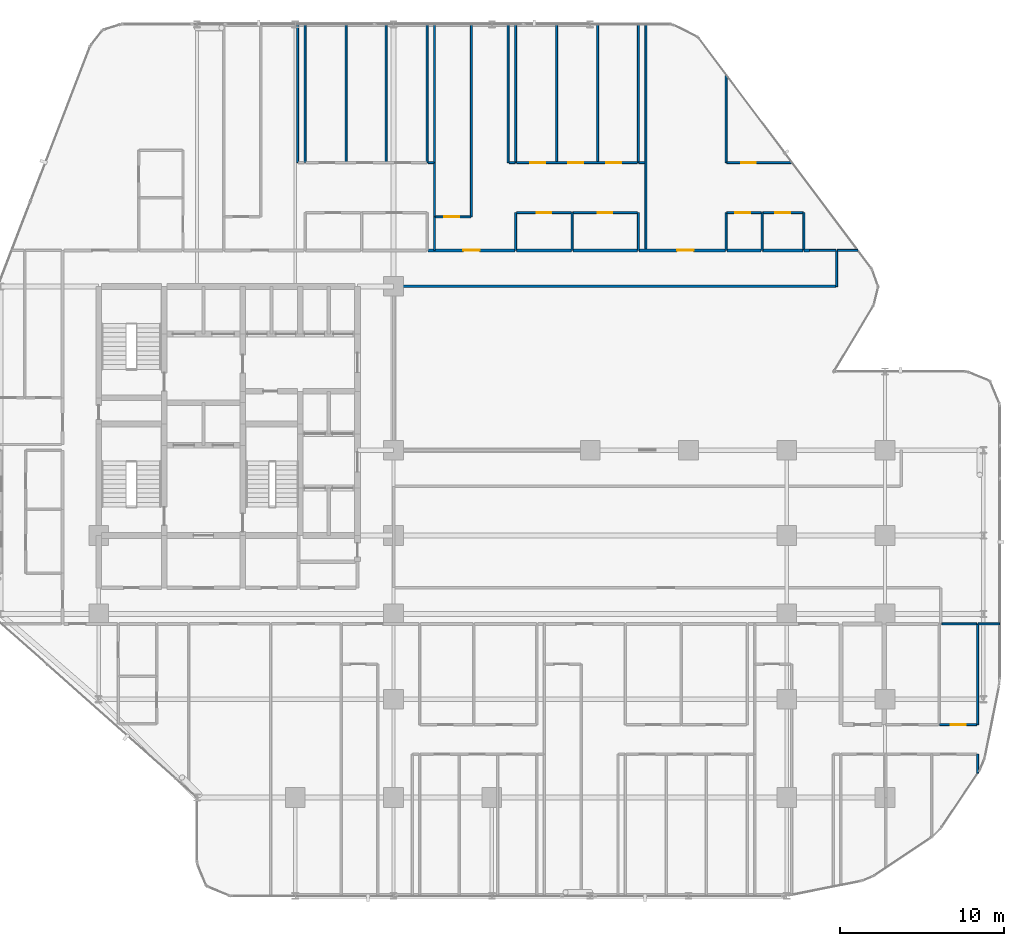
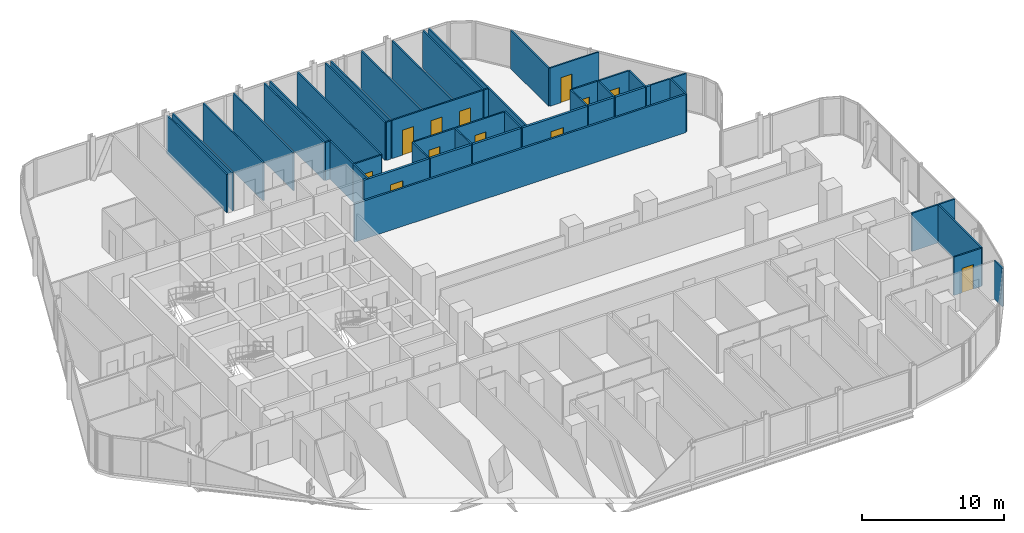
# One storey, part 31 of 34: 48 walls, 12 doors, 12 openings.
"""IFC4 building model written with IfcOpenShell, lengths in metres."""

from ifc_helpers import new_model, si_unit, direction, frame, frame_2d, origin, place, context, subcontext, project, spatial, rectangle, extrude, material, layer, layer_set, type_object, element, fill, save


model = new_model("IFC4")

# Units and contexts
model_context = context("Model", 3, precision=1e-05, world=origin(), true_north=direction((0.0, 1.0)))
body_context = subcontext(model_context, "Body", "Model", "MODEL_VIEW")
ifc_project = project(units=[si_unit("LENGTHUNIT", "METRE"), si_unit("AREAUNIT", "SQUARE_METRE"), si_unit("VOLUMEUNIT", "CUBIC_METRE"), si_unit("PLANEANGLEUNIT", "RADIAN"), si_unit("MASSUNIT", "GRAM", prefix="KILO")], contexts=[model_context])

# Site, building, storey
site_placement = place(None, origin())
site = spatial("IfcSite", under=ifc_project, at=site_placement, CompositionType="ELEMENT")
building_placement = place(site_placement, origin())
building = spatial("IfcBuilding", under=site, at=building_placement, Name="Keshet Zoharim Tower", CompositionType="ELEMENT")
storey_placement = place(building_placement, frame((0.0, 0.0, 77.5)))
storey = spatial("IfcBuildingStorey", under=building, at=storey_placement, Name="L18", CompositionType="ELEMENT", Elevation=77.5)

# Wall
ifc_material_1 = material(Name="Gypsum Plasterboard", Category="gypsum")
ifc_layer_1 = layer(ifc_material_1, 0.14990234375)
ifc_layer_set_1 = layer_set([ifc_layer_1], Name="Gypsum Plasterboard")
wall_type_1 = type_object("IfcWallType", Name="WL-CLIN-150", PredefinedType="STANDARD", material=ifc_layer_set_1)
wall_1_placement = place(storey_placement, frame((33.070068359375, 37.89990234375, 0.0), z_axis=(0.0, 0.0, 1.0), x_axis=(1.0, 0.0, 0.0)))
element("IfcWall", 1, at=wall_1_placement, inside=storey, type_object=wall_type_1, Name="L18 Interior Wall 198", PredefinedType="STANDARD", context=body_context, shape_type="SweptSolid", body=[
    extrude(rectangle(XDim=26.934814453125, YDim=0.14990234375, at=frame_2d((13.46728515625, 0.0))), origin(), (0.0, 0.0, 1.0), 3.280029296875),
])

# Wall, opening, door
ifc_layer_2 = layer(ifc_material_1, 0.179931640625)
ifc_layer_set_2 = layer_set([ifc_layer_2], Name="Gypsum Plasterboard")
wall_type_2 = type_object("IfcWallType", Name="WL-CORR-180", PredefinedType="STANDARD", material=ifc_layer_set_2)
wall_2_placement = place(storey_placement, frame((35.10498046875, 40.10009765625, 0.0), z_axis=(0.0, 0.0, 1.0), x_axis=(1.0, 0.0, 0.0)))
wall_2 = element("IfcWall", 2, at=wall_2_placement, inside=storey, type_object=wall_type_2, Name="L18 Interior Wall 207", PredefinedType="STANDARD", context=body_context, shape_type="SweptSolid", body=[
    extrude(rectangle(XDim=5.31005859375, YDim=0.179931640625, at=frame_2d((2.655029296875, 0.0))), origin(), (0.0, 0.0, 1.0), 3.280029296875),
])
opening_1_placement = place(wall_2_placement, frame((2.155029296875, 0.0, 0.0)))
opening_1 = element("IfcOpeningElement", 3, at=opening_1_placement, cuts=wall_2, Name="Opening D-F310", PredefinedType="OPENING", context=body_context, shape_type="SweptSolid", body=[
    extrude(rectangle(XDim=1.0, YDim=2.14990234375, at=frame_2d((0.5, 1.074951171875))), frame((0.0, 0.10009765625, 0.0), z_axis=(0.0, -1.0, 0.0), x_axis=(1.0, 0.0, 0.0)), (0.0, 0.0, 1.0), 0.199951171875),
])
ifc_material_2 = material(Name="Hardwood Timber", Category="wood")
door_type_1 = type_object("IfcDoorType", Name="DR-FD30-100", OperationType="NOTDEFINED", PredefinedType="DOOR", material=ifc_material_2)
door_1_placement = place(opening_1_placement, origin())
door_1 = element("IfcDoor", 4, at=door_1_placement, inside=storey, type_object=door_type_1, Name="Apartment 1807 Entrance Door", OperationType="SINGLE_SWING_LEFT", OverallHeight=2.14990234375, OverallWidth=1.0, PredefinedType="DOOR", context=body_context, shape_type="SweptSolid", body=[
    extrude(rectangle(XDim=1.0, YDim=2.14990234375, at=frame_2d((0.5, 1.074951171875))), frame((0.0, 0.02490234375, 0.0), z_axis=(0.0, -1.0, 0.0), x_axis=(1.0, 0.0, 0.0)), (0.0, 0.0, 1.0), 0.050048828125),
])
fill(opening_1, door_1)

# Walls
wall_3_placement = place(storey_placement, frame((40.5048828125, 40.10009765625, 0.0), z_axis=(0.0, 0.0, 1.0), x_axis=(1.0, 0.0, 0.0)))
element("IfcWall", 5, at=wall_3_placement, inside=storey, type_object=wall_type_2, Name="L18 Interior Wall 208", PredefinedType="STANDARD", context=body_context, shape_type="SweptSolid", body=[
    extrude(rectangle(XDim=3.34619140625, YDim=0.179931640625, at=frame_2d((1.673095703125, 0.0))), origin(), (0.0, 0.0, 1.0), 3.280029296875),
])
wall_4_placement = place(storey_placement, frame((43.94091796875, 40.10009765625, 0.0), z_axis=(0.0, 0.0, 1.0), x_axis=(1.0, 0.0, 0.0)))
element("IfcWall", 6, at=wall_4_placement, inside=storey, type_object=wall_type_2, Name="L18 Interior Wall 209", PredefinedType="STANDARD", context=body_context, shape_type="SweptSolid", body=[
    extrude(rectangle(XDim=3.944091796875, YDim=0.179931640625, at=frame_2d((1.97216796875, 0.0))), origin(), (0.0, 0.0, 1.0), 3.280029296875),
])

# Wall, opening, door
wall_5_placement = place(storey_placement, frame((47.97509765625, 40.10009765625, 0.0), z_axis=(0.0, 0.0, 1.0), x_axis=(1.0, 0.0, 0.0)))
wall_5 = element("IfcWall", 7, at=wall_5_placement, inside=storey, type_object=wall_type_2, Name="L18 Interior Wall 210", PredefinedType="STANDARD", context=body_context, shape_type="SweptSolid", body=[
    extrude(rectangle(XDim=5.27978515625, YDim=0.179931640625, at=frame_2d((2.639892578125, 0.0))), origin(), (0.0, 0.0, 1.0), 3.280029296875),
])
opening_2_placement = place(wall_5_placement, frame((2.340087890625, 0.0, 0.0)))
opening_2 = element("IfcOpeningElement", 8, at=opening_2_placement, cuts=wall_5, Name="Opening D-F310", PredefinedType="OPENING", context=body_context, shape_type="SweptSolid", body=[
    extrude(rectangle(XDim=1.0, YDim=2.14990234375, at=frame_2d((0.5, 1.074951171875))), frame((0.0, 0.10009765625, 0.0), z_axis=(0.0, -1.0, 0.0), x_axis=(1.0, 0.0, 0.0)), (0.0, 0.0, 1.0), 0.199951171875),
])
door_2_placement = place(opening_2_placement, origin())
door_2 = element("IfcDoor", 9, at=door_2_placement, inside=storey, type_object=door_type_1, Name="Apartment 1808 Entrance Door", OperationType="SINGLE_SWING_RIGHT", OverallHeight=2.14990234375, OverallWidth=1.0, PredefinedType="DOOR", context=body_context, shape_type="SweptSolid", body=[
    extrude(rectangle(XDim=1.0, YDim=2.14990234375, at=frame_2d((0.5, 1.074951171875))), frame((0.0, 0.02490234375, 0.0), z_axis=(0.0, -1.0, 0.0), x_axis=(1.0, 0.0, 0.0)), (0.0, 0.0, 1.0), 0.050048828125),
])
fill(opening_2, door_2)

# Walls
wall_6_placement = place(storey_placement, frame((53.344970703125, 40.10009765625, 0.0), z_axis=(0.0, 0.0, 1.0), x_axis=(1.0, 0.0, 0.0)))
element("IfcWall", 10, at=wall_6_placement, inside=storey, type_object=wall_type_2, Name="L18 Interior Wall 211", PredefinedType="STANDARD", context=body_context, shape_type="SweptSolid", body=[
    extrude(rectangle(XDim=2.089111328125, YDim=0.179931640625, at=frame_2d((1.04443359375, 0.0))), origin(), (0.0, 0.0, 1.0), 3.280029296875),
])
wall_7_placement = place(storey_placement, frame((55.52392578125, 40.10009765625, 0.0), z_axis=(0.0, 0.0, 1.0), x_axis=(1.0, 0.0, 0.0)))
element("IfcWall", 11, at=wall_7_placement, inside=storey, type_object=wall_type_2, Name="L18 Interior Wall 212", PredefinedType="STANDARD", context=body_context, shape_type="SweptSolid", body=[
    extrude(rectangle(XDim=2.468994140625, YDim=0.179931640625, at=frame_2d((1.234375, 0.0))), origin(), (0.0, 0.0, 1.0), 3.280029296875),
])
wall_8_placement = place(storey_placement, frame((58.050048828125, 40.10009765625, 0.0), z_axis=(0.0, 0.0, 1.0), x_axis=(1.0, 0.0, 0.0)))
element("IfcWall", 12, at=wall_8_placement, inside=storey, type_object=wall_type_2, Name="L18 Interior Wall 213", PredefinedType="STANDARD", context=body_context, shape_type="SweptSolid", body=[
    extrude(rectangle(XDim=0.349853515625, YDim=0.179931640625, at=frame_2d((0.1748046875, 0.0))), origin(), (0.0, 0.0, 1.0), 3.280029296875),
])
ifc_layer_3 = layer(ifc_material_1, 0.1201171875)
ifc_layer_set_3 = layer_set([ifc_layer_3], Name="Gypsum Plasterboard")
wall_type_3 = type_object("IfcWallType", Name="WL-PART-120", PredefinedType="PARTITIONING", material=ifc_layer_set_3)
for number, where, z_axis, x_axis, name in (
    (13, (27.14990234375, 45.449951171875, 0.0), (0.0, 0.0, 1.0), (0.0, 1.0, 0.0), "L18 Interior Wall 043"),
    (14, (27.60009765625, 45.449951171875, 0.0), (0.0, 0.0, 1.0), (0.0, 1.0, 0.0), "L18 Interior Wall 052"),
    (15, (30.10009765625, 45.449951171875, 0.0), (0.0, 0.0, 1.0), (0.0, 1.0, 0.0), "L18 Interior Wall 058"),
    (16, (32.550048828125, 45.449951171875, 0.0), (0.0, 0.0, 1.0), (0.0, 1.0, 0.0), "L18 Interior Wall 068"),
    (17, (35.050048828125, 45.449951171875, 0.0), (0.0, 0.0, 1.0), (0.0, 1.0, 0.0), "L18 Interior Wall 075"),
):
    element("IfcWall", number, at=place(storey_placement, frame(where, z_axis=z_axis, x_axis=x_axis)), inside=storey, type_object=wall_type_3, Name=name, PredefinedType="PARTITIONING", context=body_context, shape_type="SweptSolid", body=[
        extrude(rectangle(XDim=8.43994140625, YDim=0.1201171875, at=frame_2d((4.219970703125, 0.0))), origin(), (0.0, 0.0, 1.0), 3.280029296875),
    ])
wall_9_placement = place(storey_placement, frame((35.5, 40.10009765625, 0.0), z_axis=(0.0, 0.0, 1.0), x_axis=(0.0, 1.0, 0.0)))
element("IfcWall", 18, at=wall_9_placement, inside=storey, type_object=wall_type_3, Name="L18 Interior Wall 076", PredefinedType="PARTITIONING", context=body_context, shape_type="SweptSolid", body=[
    extrude(rectangle(XDim=2.0498046875, YDim=0.1201171875, at=frame_2d((1.02490234375, 0.0))), origin(), (0.0, 0.0, 1.0), 3.280029296875),
])
wall_10_placement = place(storey_placement, frame((35.5, 42.14990234375, 0.0), z_axis=(0.0, 0.0, 1.0), x_axis=(0.0, 1.0, 0.0)))
element("IfcWall", 19, at=wall_10_placement, inside=storey, type_object=wall_type_3, Name="L18 Interior Wall 077", PredefinedType="PARTITIONING", context=body_context, shape_type="SweptSolid", body=[
    extrude(rectangle(XDim=3.300048828125, YDim=0.1201171875, at=frame_2d((1.64990234375, 0.0))), origin(), (0.0, 0.0, 1.0), 3.280029296875),
])
wall_11_placement = place(storey_placement, frame((35.5, 45.449951171875, 0.0), z_axis=(0.0, 0.0, 1.0), x_axis=(0.0, 1.0, 0.0)))
element("IfcWall", 20, at=wall_11_placement, inside=storey, type_object=wall_type_3, Name="L18 Interior Wall 078", PredefinedType="PARTITIONING", context=body_context, shape_type="SweptSolid", body=[
    extrude(rectangle(XDim=8.43994140625, YDim=0.1201171875, at=frame_2d((4.219970703125, 0.0))), origin(), (0.0, 0.0, 1.0), 3.280029296875),
])
wall_12_placement = place(storey_placement, frame((37.75, 42.14990234375, 0.0), z_axis=(0.0, 0.0, 1.0), x_axis=(0.0, 1.0, 0.0)))
element("IfcWall", 21, at=wall_12_placement, inside=storey, type_object=wall_type_3, Name="L18 Interior Wall 080", PredefinedType="PARTITIONING", context=body_context, shape_type="SweptSolid", body=[
    extrude(rectangle(XDim=11.739990234375, YDim=0.1201171875, at=frame_2d((5.8701171875, 0.0))), origin(), (0.0, 0.0, 1.0), 3.280029296875),
])
wall_13_placement = place(storey_placement, frame((40.0, 45.449951171875, 0.0), z_axis=(0.0, 0.0, 1.0), x_axis=(0.0, 1.0, 0.0)))
element("IfcWall", 22, at=wall_13_placement, inside=storey, type_object=wall_type_3, Name="L18 Interior Wall 083", PredefinedType="PARTITIONING", context=body_context, shape_type="SweptSolid", body=[
    extrude(rectangle(XDim=8.43994140625, YDim=0.1201171875, at=frame_2d((4.219970703125, 0.0))), origin(), (0.0, 0.0, 1.0), 3.280029296875),
])
wall_14_placement = place(storey_placement, frame((40.449951171875, 40.10009765625, 0.0), z_axis=(0.0, 0.0, 1.0), x_axis=(0.0, 1.0, 0.0)))
element("IfcWall", 23, at=wall_14_placement, inside=storey, type_object=wall_type_3, Name="L18 Interior Wall 084", PredefinedType="PARTITIONING", context=body_context, shape_type="SweptSolid", body=[
    extrude(rectangle(XDim=2.2998046875, YDim=0.1201171875, at=frame_2d((1.14990234375, 0.0))), origin(), (0.0, 0.0, 1.0), 3.280029296875),
])
for number, where, z_axis, x_axis, name in (
    (24, (40.449951171875, 45.449951171875, 0.0), (0.0, 0.0, 1.0), (0.0, 1.0, 0.0), "L18 Interior Wall 085"),
    (25, (42.949951171875, 45.449951171875, 0.0), (0.0, 0.0, 1.0), (0.0, 1.0, 0.0), "L18 Interior Wall 091"),
    (26, (45.449951171875, 45.449951171875, 0.0), (0.0, 0.0, 1.0), (0.0, 1.0, 0.0), "L18 Interior Wall 094"),
    (27, (47.949951171875, 45.449951171875, 0.0), (0.0, 0.0, 1.0), (0.0, 1.0, 0.0), "L18 Interior Wall 099"),
):
    element("IfcWall", number, at=place(storey_placement, frame(where, z_axis=z_axis, x_axis=x_axis)), inside=storey, type_object=wall_type_3, Name=name, PredefinedType="PARTITIONING", context=body_context, shape_type="SweptSolid", body=[
        extrude(rectangle(XDim=8.43994140625, YDim=0.1201171875, at=frame_2d((4.219970703125, 0.0))), origin(), (0.0, 0.0, 1.0), 3.280029296875),
    ])
wall_15_placement = place(storey_placement, frame((48.39990234375, 40.10009765625, 0.0), z_axis=(0.0, 0.0, 1.0), x_axis=(0.0, 1.0, 0.0)))
element("IfcWall", 28, at=wall_15_placement, inside=storey, type_object=wall_type_3, Name="L18 Interior Wall 100", PredefinedType="PARTITIONING", context=body_context, shape_type="SweptSolid", body=[
    extrude(rectangle(XDim=13.789794921875, YDim=0.1201171875, at=frame_2d((6.89501953125, 0.0))), origin(), (0.0, 0.0, 1.0), 3.280029296875),
])
wall_16_placement = place(storey_placement, frame((53.300048828125, 40.10009765625, 0.0), z_axis=(0.0, 0.0, 1.0), x_axis=(0.0, 1.0, 0.0)))
element("IfcWall", 29, at=wall_16_placement, inside=storey, type_object=wall_type_3, Name="L18 Interior Wall 104", PredefinedType="PARTITIONING", context=body_context, shape_type="SweptSolid", body=[
    extrude(rectangle(XDim=2.2998046875, YDim=0.1201171875, at=frame_2d((1.14990234375, 0.0))), origin(), (0.0, 0.0, 1.0), 3.280029296875),
])
wall_17_placement = place(storey_placement, frame((53.300048828125, 45.449951171875, 0.0), z_axis=(0.0, 0.0, 1.0), x_axis=(0.0, 1.0, 0.0)))
element("IfcWall", 30, at=wall_17_placement, inside=storey, type_object=wall_type_3, Name="L18 Interior Wall 105", PredefinedType="PARTITIONING", context=body_context, shape_type="SweptSolid", body=[
    extrude(rectangle(XDim=5.373046875, YDim=0.1201171875, at=frame_2d((2.6865234375, 0.0))), origin(), (0.0, 0.0, 1.0), 3.280029296875),
])
wall_18_placement = place(storey_placement, frame((60.050048828125, 37.889892578125, 0.0), z_axis=(0.0, 0.0, 1.0), x_axis=(0.0, 1.0, 0.0)))
element("IfcWall", 31, at=wall_18_placement, inside=storey, type_object=wall_type_3, Name="L18 Interior Wall 115", PredefinedType="PARTITIONING", context=body_context, shape_type="SweptSolid", body=[
    extrude(rectangle(XDim=2.2001953125, YDim=0.1201171875, at=frame_2d((1.10009765625, 0.0))), origin(), (0.0, 0.0, 1.0), 3.280029296875),
])
wall_19_placement = place(storey_placement, frame((68.64990234375, 8.196044921875, 0.0), z_axis=(0.0, 0.0, 1.0), x_axis=(0.0, 1.0, 0.0)))
element("IfcWall", 32, at=wall_19_placement, inside=storey, type_object=wall_type_3, Name="L18 Interior Wall 124", PredefinedType="PARTITIONING", context=body_context, shape_type="SweptSolid", body=[
    extrude(rectangle(XDim=1.154052734375, YDim=0.1201171875, at=frame_2d((0.5771484375, 0.0))), origin(), (0.0, 0.0, 1.0), 3.280029296875),
])
wall_20_placement = place(storey_placement, frame((68.676025390625, 17.300048828125, 0.0), z_axis=(0.0, 0.0, 1.0), x_axis=(1.0, 0.0, 0.0)))
element("IfcWall", 33, at=wall_20_placement, inside=storey, type_object=wall_type_3, Name="L18 Interior Wall 162", PredefinedType="PARTITIONING", context=body_context, shape_type="SweptSolid", body=[
    extrude(rectangle(XDim=1.31396484375, YDim=0.1201171875, at=frame_2d((0.656982421875, 0.0))), origin(), (0.0, 0.0, 1.0), 3.280029296875),
])
wall_21_placement = place(storey_placement, frame((58.39990234375, 40.10009765625, 0.0), z_axis=(0.0, 0.0, 1.0), x_axis=(1.0, 0.0, 0.0)))
element("IfcWall", 34, at=wall_21_placement, inside=storey, type_object=wall_type_3, Name="L18 Interior Wall 214", PredefinedType="PARTITIONING", context=body_context, shape_type="SweptSolid", body=[
    extrude(rectangle(XDim=1.60498046875, YDim=0.1201171875, at=frame_2d((0.802490234375, 0.0))), origin(), (0.0, 0.0, 1.0), 3.280029296875),
])
wall_22_placement = place(storey_placement, frame((60.094970703125, 40.10009765625, 0.0), z_axis=(0.0, 0.0, 1.0), x_axis=(1.0, 0.0, 0.0)))
element("IfcWall", 35, at=wall_22_placement, inside=storey, type_object=wall_type_3, Name="L18 Interior Wall 215", PredefinedType="PARTITIONING", context=body_context, shape_type="SweptSolid", body=[
    extrude(rectangle(XDim=1.2451171875, YDim=0.1201171875, at=frame_2d((0.62255859375, 0.0))), origin(), (0.0, 0.0, 1.0), 3.280029296875),
])

# Wall, opening, door
wall_23_placement = place(storey_placement, frame((35.554931640625, 42.14990234375, 0.0), z_axis=(0.0, 0.0, 1.0), x_axis=(1.0, 0.0, 0.0)))
wall_23 = element("IfcWall", 36, at=wall_23_placement, inside=storey, type_object=wall_type_3, Name="L18 Interior Wall 217", PredefinedType="PARTITIONING", context=body_context, shape_type="SweptSolid", body=[
    extrude(rectangle(XDim=2.16015625, YDim=0.1201171875, at=frame_2d((1.080078125, 0.0))), origin(), (0.0, 0.0, 1.0), 3.280029296875),
])
opening_3_placement = place(wall_23_placement, frame((0.552978515625, 0.0, 0.0)))
opening_3 = element("IfcOpeningElement", 37, at=opening_3_placement, cuts=wall_23, Name="Opening D-IN90", PredefinedType="OPENING", context=body_context, shape_type="SweptSolid", body=[
    extrude(rectangle(XDim=0.89990234375, YDim=2.14990234375, at=frame_2d((0.449951171875, 1.074951171875))), frame((0.0, 0.070068359375, 0.0), z_axis=(0.0, -1.0, 0.0), x_axis=(1.0, 0.0, 0.0)), (0.0, 0.0, 1.0), 0.14013671875),
])
door_type_2 = type_object("IfcDoorType", Name="DR-INT-090", OperationType="NOTDEFINED", PredefinedType="DOOR", material=ifc_material_2)
door_3_placement = place(opening_3_placement, origin())
door_3 = element("IfcDoor", 38, at=door_3_placement, inside=storey, type_object=door_type_2, Name="Apartment 1807 Formal Dining Room Door", OperationType="SINGLE_SWING_RIGHT", OverallHeight=2.14990234375, OverallWidth=0.89990234375, PredefinedType="DOOR", context=body_context, shape_type="SweptSolid", body=[
    extrude(rectangle(XDim=0.89990234375, YDim=2.14990234375, at=frame_2d((0.449951171875, 1.074951171875))), frame((0.0, 0.02490234375, 0.0), z_axis=(0.0, -1.0, 0.0), x_axis=(1.0, 0.0, 0.0)), (0.0, 0.0, 1.0), 0.050048828125),
])
fill(opening_3, door_3)

wall_24_placement = place(storey_placement, frame((40.5048828125, 42.39990234375, 0.0), z_axis=(0.0, 0.0, 1.0), x_axis=(1.0, 0.0, 0.0)))
wall_24 = element("IfcWall", 39, at=wall_24_placement, inside=storey, type_object=wall_type_3, Name="L18 Interior Wall 220", PredefinedType="PARTITIONING", context=body_context, shape_type="SweptSolid", body=[
    extrude(rectangle(XDim=3.34619140625, YDim=0.1201171875, at=frame_2d((1.673095703125, 0.0))), origin(), (0.0, 0.0, 1.0), 3.280029296875),
])
opening_4_placement = place(wall_24_placement, frame((1.222900390625, 0.0, 0.0)))
opening_4 = element("IfcOpeningElement", 40, at=opening_4_placement, cuts=wall_24, Name="Opening D-IN90", PredefinedType="OPENING", context=body_context, shape_type="SweptSolid", body=[
    extrude(rectangle(XDim=0.89990234375, YDim=2.14990234375, at=frame_2d((0.449951171875, 1.074951171875))), frame((0.0, 0.070068359375, 0.0), z_axis=(0.0, -1.0, 0.0), x_axis=(1.0, 0.0, 0.0)), (0.0, 0.0, 1.0), 0.14013671875),
])
door_4_placement = place(opening_4_placement, origin())
door_4 = element("IfcDoor", 41, at=door_4_placement, inside=storey, type_object=door_type_2, Name="Apartment 1807 Kitchen Door", OperationType="SINGLE_SWING_LEFT", OverallHeight=2.14990234375, OverallWidth=0.89990234375, PredefinedType="DOOR", context=body_context, shape_type="SweptSolid", body=[
    extrude(rectangle(XDim=0.89990234375, YDim=2.14990234375, at=frame_2d((0.449951171875, 1.074951171875))), frame((0.0, 0.02490234375, 0.0), z_axis=(0.0, -1.0, 0.0), x_axis=(1.0, 0.0, 0.0)), (0.0, 0.0, 1.0), 0.050048828125),
])
fill(opening_4, door_4)

wall_25_placement = place(storey_placement, frame((53.344970703125, 42.39990234375, 0.0), z_axis=(0.0, 0.0, 1.0), x_axis=(1.0, 0.0, 0.0)))
wall_25 = element("IfcWall", 42, at=wall_25_placement, inside=storey, type_object=wall_type_3, Name="L18 Interior Wall 222", PredefinedType="PARTITIONING", context=body_context, shape_type="SweptSolid", body=[
    extrude(rectangle(XDim=2.089111328125, YDim=0.1201171875, at=frame_2d((1.04443359375, 0.0))), origin(), (0.0, 0.0, 1.0), 3.280029296875),
])
opening_5_placement = place(wall_25_placement, frame((0.51904296875, 0.0, 0.0)))
opening_5 = element("IfcOpeningElement", 43, at=opening_5_placement, cuts=wall_25, Name="Opening D-IN90", PredefinedType="OPENING", context=body_context, shape_type="SweptSolid", body=[
    extrude(rectangle(XDim=0.89990234375, YDim=2.14990234375, at=frame_2d((0.449951171875, 1.074951171875))), frame((0.0, 0.070068359375, 0.0), z_axis=(0.0, -1.0, 0.0), x_axis=(1.0, 0.0, 0.0)), (0.0, 0.0, 1.0), 0.14013671875),
])
door_5_placement = place(opening_5_placement, origin())
door_5 = element("IfcDoor", 44, at=door_5_placement, inside=storey, type_object=door_type_2, Name="Apartment 1808 Kitchen Door", OperationType="SINGLE_SWING_LEFT", OverallHeight=2.14990234375, OverallWidth=0.89990234375, PredefinedType="DOOR", context=body_context, shape_type="SweptSolid", body=[
    extrude(rectangle(XDim=0.89990234375, YDim=2.14990234375, at=frame_2d((0.449951171875, 1.074951171875))), frame((0.0, 0.02490234375, 0.0), z_axis=(0.0, -1.0, 0.0), x_axis=(1.0, 0.0, 0.0)), (0.0, 0.0, 1.0), 0.050048828125),
])
fill(opening_5, door_5)

# Walls
for number, where, z_axis, x_axis, name in (
    (45, (35.10498046875, 45.449951171875, 0.0), (0.0, 0.0, 1.0), (1.0, 0.0, 0.0), "L18 Interior Wall 227"),
    (46, (40.054931640625, 45.449951171875, 0.0), (0.0, 0.0, 1.0), (1.0, 0.0, 0.0), "L18 Interior Wall 228"),
):
    element("IfcWall", number, at=place(storey_placement, frame(where, z_axis=z_axis, x_axis=x_axis)), inside=storey, type_object=wall_type_3, Name=name, PredefinedType="PARTITIONING", context=body_context, shape_type="SweptSolid", body=[
        extrude(rectangle(XDim=0.360107421875, YDim=0.1201171875, at=frame_2d((0.18017578125, 0.0))), origin(), (0.0, 0.0, 1.0), 3.280029296875),
    ])

# Wall, openings, doors
wall_26_placement = place(storey_placement, frame((40.5048828125, 45.449951171875, 0.0), z_axis=(0.0, 0.0, 1.0), x_axis=(1.0, 0.0, 0.0)))
wall_26 = element("IfcWall", 47, at=wall_26_placement, inside=storey, type_object=wall_type_3, Name="L18 Interior Wall 229", PredefinedType="PARTITIONING", context=body_context, shape_type="SweptSolid", body=[
    extrude(rectangle(XDim=7.380126953125, YDim=0.1201171875, at=frame_2d((3.68994140625, 0.0))), origin(), (0.0, 0.0, 1.0), 3.280029296875),
])
opening_6_placement = place(wall_26_placement, frame((0.85205078125, 0.0, 0.0)))
opening_6 = element("IfcOpeningElement", 48, at=opening_6_placement, cuts=wall_26, Name="Opening D-IN90", PredefinedType="OPENING", context=body_context, shape_type="SweptSolid", body=[
    extrude(rectangle(XDim=0.89990234375, YDim=2.14990234375, at=frame_2d((0.449951171875, 1.074951171875))), frame((0.0, 0.070068359375, 0.0), z_axis=(0.0, -1.0, 0.0), x_axis=(1.0, 0.0, 0.0)), (0.0, 0.0, 1.0), 0.14013671875),
])
opening_7_placement = place(wall_26_placement, frame((3.1640625, 0.0, 0.0)))
opening_7 = element("IfcOpeningElement", 49, at=opening_7_placement, cuts=wall_26, Name="Opening D-IN90", PredefinedType="OPENING", context=body_context, shape_type="SweptSolid", body=[
    extrude(rectangle(XDim=0.89990234375, YDim=2.14990234375, at=frame_2d((0.449951171875, 1.074951171875))), frame((0.0, 0.070068359375, 0.0), z_axis=(0.0, -1.0, 0.0), x_axis=(1.0, 0.0, 0.0)), (0.0, 0.0, 1.0), 0.14013671875),
])
opening_8_placement = place(wall_26_placement, frame((5.48193359375, 0.0, 0.0)))
opening_8 = element("IfcOpeningElement", 50, at=opening_8_placement, cuts=wall_26, Name="Opening D-IN90", PredefinedType="OPENING", context=body_context, shape_type="SweptSolid", body=[
    extrude(rectangle(XDim=0.89990234375, YDim=2.14990234375, at=frame_2d((0.449951171875, 1.074951171875))), frame((0.0, 0.070068359375, 0.0), z_axis=(0.0, -1.0, 0.0), x_axis=(1.0, 0.0, 0.0)), (0.0, 0.0, 1.0), 0.14013671875),
])
door_6_placement = place(opening_6_placement, origin())
door_6 = element("IfcDoor", 51, at=door_6_placement, inside=storey, type_object=door_type_2, Name="Apartment 1807 Bedroom 1 Door", OperationType="SINGLE_SWING_RIGHT", OverallHeight=2.14990234375, OverallWidth=0.89990234375, PredefinedType="DOOR", context=body_context, shape_type="SweptSolid", body=[
    extrude(rectangle(XDim=0.89990234375, YDim=2.14990234375, at=frame_2d((0.449951171875, 1.074951171875))), frame((0.0, 0.02490234375, 0.0), z_axis=(0.0, -1.0, 0.0), x_axis=(1.0, 0.0, 0.0)), (0.0, 0.0, 1.0), 0.050048828125),
])
fill(opening_6, door_6)
door_7_placement = place(opening_7_placement, origin())
door_7 = element("IfcDoor", 52, at=door_7_placement, inside=storey, type_object=door_type_2, Name="Apartment 1807 Bedroom 2 Door", OperationType="SINGLE_SWING_LEFT", OverallHeight=2.14990234375, OverallWidth=0.89990234375, PredefinedType="DOOR", context=body_context, shape_type="SweptSolid", body=[
    extrude(rectangle(XDim=0.89990234375, YDim=2.14990234375, at=frame_2d((0.449951171875, 1.074951171875))), frame((0.0, 0.02490234375, 0.0), z_axis=(0.0, -1.0, 0.0), x_axis=(1.0, 0.0, 0.0)), (0.0, 0.0, 1.0), 0.050048828125),
])
fill(opening_7, door_7)
door_8_placement = place(opening_8_placement, origin())
door_8 = element("IfcDoor", 53, at=door_8_placement, inside=storey, type_object=door_type_2, Name="Apartment 1807 Bedroom 3 Door", OperationType="SINGLE_SWING_RIGHT", OverallHeight=2.14990234375, OverallWidth=0.89990234375, PredefinedType="DOOR", context=body_context, shape_type="SweptSolid", body=[
    extrude(rectangle(XDim=0.89990234375, YDim=2.14990234375, at=frame_2d((0.449951171875, 1.074951171875))), frame((0.0, 0.02490234375, 0.0), z_axis=(0.0, -1.0, 0.0), x_axis=(1.0, 0.0, 0.0)), (0.0, 0.0, 1.0), 0.050048828125),
])
fill(opening_8, door_8)

# Wall
wall_27_placement = place(storey_placement, frame((47.97509765625, 45.449951171875, 0.0), z_axis=(0.0, 0.0, 1.0), x_axis=(1.0, 0.0, 0.0)))
element("IfcWall", 54, at=wall_27_placement, inside=storey, type_object=wall_type_3, Name="L18 Interior Wall 230", PredefinedType="PARTITIONING", context=body_context, shape_type="SweptSolid", body=[
    extrude(rectangle(XDim=0.35986328125, YDim=0.1201171875, at=frame_2d((0.179931640625, 0.0))), origin(), (0.0, 0.0, 1.0), 3.280029296875),
])

# Wall, opening, door
wall_28_placement = place(storey_placement, frame((53.344970703125, 45.449951171875, 0.0), z_axis=(0.0, 0.0, 1.0), x_axis=(1.0, 0.0, 0.0)))
wall_28 = element("IfcWall", 55, at=wall_28_placement, inside=storey, type_object=wall_type_3, Name="L18 Interior Wall 231", PredefinedType="PARTITIONING", context=body_context, shape_type="SweptSolid", body=[
    extrude(rectangle(XDim=3.98291015625, YDim=0.1201171875, at=frame_2d((1.991455078125, 0.0))), origin(), (0.0, 0.0, 1.0), 3.280029296875),
])
opening_9_placement = place(wall_28_placement, frame((0.864990234375, 0.0, 0.0)))
opening_9 = element("IfcOpeningElement", 56, at=opening_9_placement, cuts=wall_28, Name="Opening D-IN90", PredefinedType="OPENING", context=body_context, shape_type="SweptSolid", body=[
    extrude(rectangle(XDim=0.89990234375, YDim=2.14990234375, at=frame_2d((0.449951171875, 1.074951171875))), frame((0.0, 0.070068359375, 0.0), z_axis=(0.0, -1.0, 0.0), x_axis=(1.0, 0.0, 0.0)), (0.0, 0.0, 1.0), 0.14013671875),
])
door_9_placement = place(opening_9_placement, origin())
door_9 = element("IfcDoor", 57, at=door_9_placement, inside=storey, type_object=door_type_2, Name="Apartment 1808 Bedroom 1 Door", OperationType="SINGLE_SWING_LEFT", OverallHeight=2.14990234375, OverallWidth=0.89990234375, PredefinedType="DOOR", context=body_context, shape_type="SweptSolid", body=[
    extrude(rectangle(XDim=0.89990234375, YDim=2.14990234375, at=frame_2d((0.449951171875, 1.074951171875))), frame((0.0, 0.02490234375, 0.0), z_axis=(0.0, -1.0, 0.0), x_axis=(1.0, 0.0, 0.0)), (0.0, 0.0, 1.0), 0.050048828125),
])
fill(opening_9, door_9)

# Walls
ifc_layer_4 = layer(ifc_material_1, 0.1201171875)
ifc_layer_set_4 = layer_set([ifc_layer_4], Name="Gypsum Plasterboard")
wall_type_4 = type_object("IfcWallType", Name="WL-WET-120", PredefinedType="PARTITIONING", material=ifc_layer_set_4)
for number, where, z_axis, x_axis, name in (
    (58, (43.89990234375, 40.10009765625, 0.0), (0.0, 0.0, 1.0), (0.0, 1.0, 0.0), "L18 Interior Wall 092"),
    (59, (47.949951171875, 40.10009765625, 0.0), (0.0, 0.0, 1.0), (0.0, 1.0, 0.0), "L18 Interior Wall 098"),
    (60, (55.5, 40.10009765625, 0.0), (0.0, 0.0, 1.0), (0.0, 1.0, 0.0), "L18 Interior Wall 111"),
    (61, (58.050048828125, 40.10009765625, 0.0), (0.0, 0.0, 1.0), (0.0, 1.0, 0.0), "L18 Interior Wall 113"),
):
    element("IfcWall", number, at=place(storey_placement, frame(where, z_axis=z_axis, x_axis=x_axis)), inside=storey, type_object=wall_type_4, Name=name, PredefinedType="PARTITIONING", context=body_context, shape_type="SweptSolid", body=[
        extrude(rectangle(XDim=2.2998046875, YDim=0.1201171875, at=frame_2d((1.14990234375, 0.0))), origin(), (0.0, 0.0, 1.0), 3.280029296875),
    ])
wall_29_placement = place(storey_placement, frame((68.64990234375, 11.14990234375, 0.0), z_axis=(0.0, 0.0, 1.0), x_axis=(0.0, 1.0, 0.0)))
element("IfcWall", 62, at=wall_29_placement, inside=storey, type_object=wall_type_4, Name="L18 Interior Wall 125", PredefinedType="PARTITIONING", context=body_context, shape_type="SweptSolid", body=[
    extrude(rectangle(XDim=6.150146484375, YDim=0.1201171875, at=frame_2d((3.0751953125, 0.0))), origin(), (0.0, 0.0, 1.0), 3.280029296875),
])

# Wall, opening, door
wall_30_placement = place(storey_placement, frame((66.337890625, 11.14990234375, 0.0), z_axis=(0.0, 0.0, 1.0), x_axis=(1.0, 0.0, 0.0)))
wall_30 = element("IfcWall", 63, at=wall_30_placement, inside=storey, type_object=wall_type_4, Name="L18 Interior Wall 140", PredefinedType="PARTITIONING", context=body_context, shape_type="SweptSolid", body=[
    extrude(rectangle(XDim=2.248046875, YDim=0.1201171875, at=frame_2d((1.1240234375, 0.0))), origin(), (0.0, 0.0, 1.0), 3.280029296875),
])
opening_10_placement = place(wall_30_placement, frame((0.674072265625, 0.0, 0.0)))
opening_10 = element("IfcOpeningElement", 64, at=opening_10_placement, cuts=wall_30, Name="Opening D-WT90", PredefinedType="OPENING", context=body_context, shape_type="SweptSolid", body=[
    extrude(rectangle(XDim=0.89990234375, YDim=2.10009765625, at=frame_2d((0.449951171875, 1.050048828125))), frame((0.0, 0.070068359375, 0.0), z_axis=(0.0, -1.0, 0.0), x_axis=(1.0, 0.0, 0.0)), (0.0, 0.0, 1.0), 0.14013671875),
])
door_type_3 = type_object("IfcDoorType", Name="DR-WET-090", OperationType="NOTDEFINED", PredefinedType="DOOR", material=ifc_material_2)
door_10_placement = place(opening_10_placement, origin())
door_10 = element("IfcDoor", 65, at=door_10_placement, inside=storey, type_object=door_type_3, Name="Apartment 1804 Bathroom Door", OperationType="SINGLE_SWING_LEFT", OverallHeight=2.10009765625, OverallWidth=0.89990234375, PredefinedType="DOOR", context=body_context, shape_type="SweptSolid", body=[
    extrude(rectangle(XDim=0.89990234375, YDim=2.10009765625, at=frame_2d((0.449951171875, 1.050048828125))), frame((0.0, 0.02490234375, 0.0), z_axis=(0.0, -1.0, 0.0), x_axis=(1.0, 0.0, 0.0)), (0.0, 0.0, 1.0), 0.050048828125),
])
fill(opening_10, door_10)

# Wall
wall_31_placement = place(storey_placement, frame((66.469970703125, 17.300048828125, 0.0), z_axis=(0.0, 0.0, 1.0), x_axis=(1.0, 0.0, 0.0)))
element("IfcWall", 66, at=wall_31_placement, inside=storey, type_object=wall_type_4, Name="L18 Interior Wall 161", PredefinedType="PARTITIONING", context=body_context, shape_type="SweptSolid", body=[
    extrude(rectangle(XDim=2.115966796875, YDim=0.1201171875, at=frame_2d((1.05810546875, 0.0))), origin(), (0.0, 0.0, 1.0), 3.280029296875),
])

# Wall, opening, door
wall_32_placement = place(storey_placement, frame((43.94091796875, 42.39990234375, 0.0), z_axis=(0.0, 0.0, 1.0), x_axis=(1.0, 0.0, 0.0)))
wall_32 = element("IfcWall", 67, at=wall_32_placement, inside=storey, type_object=wall_type_4, Name="L18 Interior Wall 221", PredefinedType="PARTITIONING", context=body_context, shape_type="SweptSolid", body=[
    extrude(rectangle(XDim=3.944091796875, YDim=0.1201171875, at=frame_2d((1.97216796875, 0.0))), origin(), (0.0, 0.0, 1.0), 3.280029296875),
])
opening_11_placement = place(wall_32_placement, frame((1.52197265625, 0.0, 0.0)))
opening_11 = element("IfcOpeningElement", 68, at=opening_11_placement, cuts=wall_32, Name="Opening D-WT90", PredefinedType="OPENING", context=body_context, shape_type="SweptSolid", body=[
    extrude(rectangle(XDim=0.89990234375, YDim=2.10009765625, at=frame_2d((0.449951171875, 1.050048828125))), frame((0.0, 0.070068359375, 0.0), z_axis=(0.0, -1.0, 0.0), x_axis=(1.0, 0.0, 0.0)), (0.0, 0.0, 1.0), 0.14013671875),
])
door_11_placement = place(opening_11_placement, origin())
door_11 = element("IfcDoor", 69, at=door_11_placement, inside=storey, type_object=door_type_3, Name="Apartment 1807 Bathroom Door", OperationType="SINGLE_SWING_RIGHT", OverallHeight=2.10009765625, OverallWidth=0.89990234375, PredefinedType="DOOR", context=body_context, shape_type="SweptSolid", body=[
    extrude(rectangle(XDim=0.89990234375, YDim=2.10009765625, at=frame_2d((0.449951171875, 1.050048828125))), frame((0.0, 0.02490234375, 0.0), z_axis=(0.0, -1.0, 0.0), x_axis=(1.0, 0.0, 0.0)), (0.0, 0.0, 1.0), 0.050048828125),
])
fill(opening_11, door_11)

wall_33_placement = place(storey_placement, frame((55.52392578125, 42.39990234375, 0.0), z_axis=(0.0, 0.0, 1.0), x_axis=(1.0, 0.0, 0.0)))
wall_33 = element("IfcWall", 70, at=wall_33_placement, inside=storey, type_object=wall_type_4, Name="L18 Interior Wall 223", PredefinedType="PARTITIONING", context=body_context, shape_type="SweptSolid", body=[
    extrude(rectangle(XDim=2.468994140625, YDim=0.1201171875, at=frame_2d((1.234375, 0.0))), origin(), (0.0, 0.0, 1.0), 3.280029296875),
])
opening_12_placement = place(wall_33_placement, frame((0.783935546875, 0.0, 0.0)))
opening_12 = element("IfcOpeningElement", 71, at=opening_12_placement, cuts=wall_33, Name="Opening D-WT90", PredefinedType="OPENING", context=body_context, shape_type="SweptSolid", body=[
    extrude(rectangle(XDim=0.89990234375, YDim=2.10009765625, at=frame_2d((0.449951171875, 1.050048828125))), frame((0.0, 0.070068359375, 0.0), z_axis=(0.0, -1.0, 0.0), x_axis=(1.0, 0.0, 0.0)), (0.0, 0.0, 1.0), 0.14013671875),
])
door_12_placement = place(opening_12_placement, origin())
door_12 = element("IfcDoor", 72, at=door_12_placement, inside=storey, type_object=door_type_3, Name="Apartment 1808 Bathroom Door", OperationType="SINGLE_SWING_RIGHT", OverallHeight=2.10009765625, OverallWidth=0.89990234375, PredefinedType="DOOR", context=body_context, shape_type="SweptSolid", body=[
    extrude(rectangle(XDim=0.89990234375, YDim=2.10009765625, at=frame_2d((0.449951171875, 1.050048828125))), frame((0.0, 0.02490234375, 0.0), z_axis=(0.0, -1.0, 0.0), x_axis=(1.0, 0.0, 0.0)), (0.0, 0.0, 1.0), 0.050048828125),
])
fill(opening_12, door_12)

save(model, "model.ifc")
